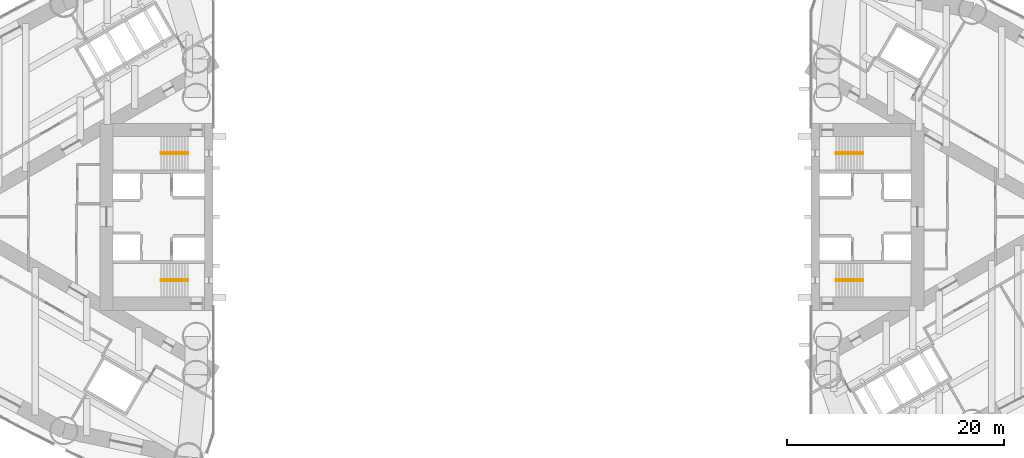
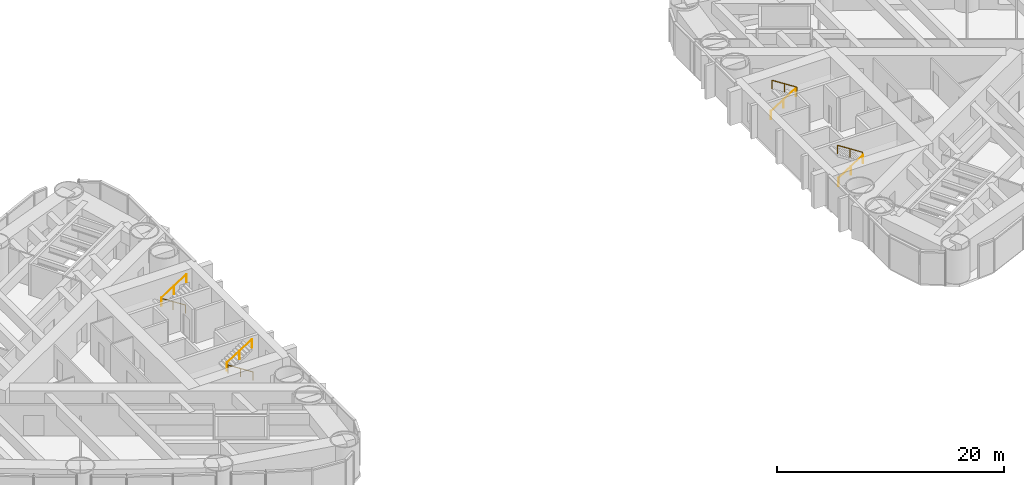
# One storey, part 16 of 16: 8 railings.
"""IFC4 building model written with IfcOpenShell, lengths in metres."""

from ifc_helpers import new_model, si_unit, direction, frame, origin, origin_2d, place, context, subcontext, project, spatial, circle, extrude, material, type_object, element, save


model = new_model("IFC4")

# Units and contexts
model_context = context("Model", 3, precision=1e-05, world=origin(), true_north=direction((0.0, 1.0)))
body_context = subcontext(model_context, "Body", "Model", "MODEL_VIEW")
ifc_project = project(units=[si_unit("LENGTHUNIT", "METRE"), si_unit("AREAUNIT", "SQUARE_METRE"), si_unit("VOLUMEUNIT", "CUBIC_METRE"), si_unit("PLANEANGLEUNIT", "RADIAN"), si_unit("MASSUNIT", "GRAM", prefix="KILO")], contexts=[model_context])

# Site, building, storey
site_placement = place(None, origin())
site = spatial("IfcSite", under=ifc_project, at=site_placement, CompositionType="ELEMENT")
building_placement = place(site_placement, origin())
building = spatial("IfcBuilding", under=site, at=building_placement, Name="Lancet Gate Hotel", CompositionType="ELEMENT")
storey_placement = place(building_placement, frame((0.0, 0.0, 143.10009765625)))
storey = spatial("IfcBuildingStorey", under=building, at=storey_placement, Name="L38", CompositionType="ELEMENT", Elevation=143.10009765625)

# Railings
ifc_material = material(Name="Stainless steel handrail", Category="steel")
railing_type = type_object("IfcRailingType", Name="Stair handrail 900", PredefinedType="HANDRAIL", material=ifc_material)
railing_1_placement = place(storey_placement, frame((-29.800048828125, 5.929931640625, 0.179931640625)))
element("IfcRailing", 1, at=railing_1_placement, inside=storey, type_object=railing_type, Name="ST1 handrail flight 1 L38", PredefinedType="HANDRAIL", context=body_context, shape_type="SweptSolid", body=[
    extrude(circle(Radius=0.02392578125, at=origin_2d()), frame((0.0, 0.0, 0.8759765625), z_axis=(-0.841199657755, 0.0, 0.540724639528), x_axis=(0.0, -1.0, 0.0)), (0.0, 0.0, 1.0), 2.995849609375),
    extrude(circle(Radius=0.02099609375, at=origin_2d()), origin(), (0.0, 0.0, 1.0), 0.851806640625),
    extrude(circle(Radius=0.02099609375, at=origin_2d()), frame((-1.260009765625, 0.0, 0.81005859375)), (0.0, 0.0, 1.0), 0.851806640625),
    extrude(circle(Radius=0.02099609375, at=origin_2d()), frame((-2.52001953125, 0.0, 1.619873046875)), (0.0, 0.0, 1.0), 0.851806640625),
])
railing_2_placement = place(storey_placement, frame((-32.320068359375, 5.77001953125, 1.97998046875)))
element("IfcRailing", 2, at=railing_2_placement, inside=storey, type_object=railing_type, Name="ST1 handrail flight 2 L38", PredefinedType="HANDRAIL", context=body_context, shape_type="SweptSolid", body=[
    extrude(circle(Radius=0.02392578125, at=origin_2d()), frame((0.0, 0.0, 0.8759765625), z_axis=(0.841199657755, 0.0, 0.540724639528), x_axis=(0.0, 1.0, 0.0)), (0.0, 0.0, 1.0), 2.995849609375),
    extrude(circle(Radius=0.02099609375, at=origin_2d()), origin(), (0.0, 0.0, 1.0), 0.851806640625),
    extrude(circle(Radius=0.02099609375, at=origin_2d()), frame((1.260009765625, 0.0, 0.81005859375)), (0.0, 0.0, 1.0), 0.851806640625),
    extrude(circle(Radius=0.02099609375, at=origin_2d()), frame((2.52001953125, 0.0, 1.619873046875)), (0.0, 0.0, 1.0), 0.851806640625),
])
railing_3_placement = place(storey_placement, frame((-29.800048828125, -5.929931640625, 0.179931640625)))
element("IfcRailing", 3, at=railing_3_placement, inside=storey, type_object=railing_type, Name="ST2 handrail flight 1 L38", PredefinedType="HANDRAIL", context=body_context, shape_type="SweptSolid", body=[
    extrude(circle(Radius=0.02392578125, at=origin_2d()), frame((0.0, 0.0, 0.8759765625), z_axis=(-0.841199657755, 0.0, 0.540724639528), x_axis=(0.0, -1.0, 0.0)), (0.0, 0.0, 1.0), 2.995849609375),
    extrude(circle(Radius=0.02099609375, at=origin_2d()), origin(), (0.0, 0.0, 1.0), 0.851806640625),
    extrude(circle(Radius=0.02099609375, at=origin_2d()), frame((-1.260009765625, 0.0, 0.81005859375)), (0.0, 0.0, 1.0), 0.851806640625),
    extrude(circle(Radius=0.02099609375, at=origin_2d()), frame((-2.52001953125, 0.0, 1.619873046875)), (0.0, 0.0, 1.0), 0.851806640625),
])
for number, where, name in (
    (4, (-32.320068359375, -5.77001953125, 1.97998046875), "ST2 handrail flight 2 L38"),
    (5, (29.800048828125, -5.929931640625, 0.179931640625), "ST3 handrail flight 1 L38"),
):
    element("IfcRailing", number, at=place(storey_placement, frame(where)), inside=storey, type_object=railing_type, Name=name, PredefinedType="HANDRAIL", context=body_context, shape_type="SweptSolid", body=[
        extrude(circle(Radius=0.02392578125, at=origin_2d()), frame((0.0, 0.0, 0.8759765625), z_axis=(0.841199657755, 0.0, 0.540724639528), x_axis=(0.0, 1.0, 0.0)), (0.0, 0.0, 1.0), 2.995849609375),
        extrude(circle(Radius=0.02099609375, at=origin_2d()), origin(), (0.0, 0.0, 1.0), 0.851806640625),
        extrude(circle(Radius=0.02099609375, at=origin_2d()), frame((1.260009765625, 0.0, 0.81005859375)), (0.0, 0.0, 1.0), 0.851806640625),
        extrude(circle(Radius=0.02099609375, at=origin_2d()), frame((2.52001953125, 0.0, 1.619873046875)), (0.0, 0.0, 1.0), 0.851806640625),
    ])
railing_4_placement = place(storey_placement, frame((32.320068359375, -5.77001953125, 1.97998046875)))
element("IfcRailing", 6, at=railing_4_placement, inside=storey, type_object=railing_type, Name="ST3 handrail flight 2 L38", PredefinedType="HANDRAIL", context=body_context, shape_type="SweptSolid", body=[
    extrude(circle(Radius=0.02392578125, at=origin_2d()), frame((0.0, 0.0, 0.8759765625), z_axis=(-0.841199657755, 0.0, 0.540724639528), x_axis=(0.0, -1.0, 0.0)), (0.0, 0.0, 1.0), 2.995849609375),
    extrude(circle(Radius=0.02099609375, at=origin_2d()), origin(), (0.0, 0.0, 1.0), 0.851806640625),
    extrude(circle(Radius=0.02099609375, at=origin_2d()), frame((-1.260009765625, 0.0, 0.81005859375)), (0.0, 0.0, 1.0), 0.851806640625),
    extrude(circle(Radius=0.02099609375, at=origin_2d()), frame((-2.52001953125, 0.0, 1.619873046875)), (0.0, 0.0, 1.0), 0.851806640625),
])
railing_5_placement = place(storey_placement, frame((29.800048828125, 5.929931640625, 0.179931640625)))
element("IfcRailing", 7, at=railing_5_placement, inside=storey, type_object=railing_type, Name="ST4 handrail flight 1 L38", PredefinedType="HANDRAIL", context=body_context, shape_type="SweptSolid", body=[
    extrude(circle(Radius=0.02392578125, at=origin_2d()), frame((0.0, 0.0, 0.8759765625), z_axis=(0.841199657755, 0.0, 0.540724639528), x_axis=(0.0, 1.0, 0.0)), (0.0, 0.0, 1.0), 2.995849609375),
    extrude(circle(Radius=0.02099609375, at=origin_2d()), origin(), (0.0, 0.0, 1.0), 0.851806640625),
    extrude(circle(Radius=0.02099609375, at=origin_2d()), frame((1.260009765625, 0.0, 0.81005859375)), (0.0, 0.0, 1.0), 0.851806640625),
    extrude(circle(Radius=0.02099609375, at=origin_2d()), frame((2.52001953125, 0.0, 1.619873046875)), (0.0, 0.0, 1.0), 0.851806640625),
])
railing_6_placement = place(storey_placement, frame((32.320068359375, 5.77001953125, 1.97998046875)))
element("IfcRailing", 8, at=railing_6_placement, inside=storey, type_object=railing_type, Name="ST4 handrail flight 2 L38", PredefinedType="HANDRAIL", context=body_context, shape_type="SweptSolid", body=[
    extrude(circle(Radius=0.02392578125, at=origin_2d()), frame((0.0, 0.0, 0.8759765625), z_axis=(-0.841199657755, 0.0, 0.540724639528), x_axis=(0.0, -1.0, 0.0)), (0.0, 0.0, 1.0), 2.995849609375),
    extrude(circle(Radius=0.02099609375, at=origin_2d()), origin(), (0.0, 0.0, 1.0), 0.851806640625),
    extrude(circle(Radius=0.02099609375, at=origin_2d()), frame((-1.260009765625, 0.0, 0.81005859375)), (0.0, 0.0, 1.0), 0.851806640625),
    extrude(circle(Radius=0.02099609375, at=origin_2d()), frame((-2.52001953125, 0.0, 1.619873046875)), (0.0, 0.0, 1.0), 0.851806640625),
])

save(model, "model.ifc")
